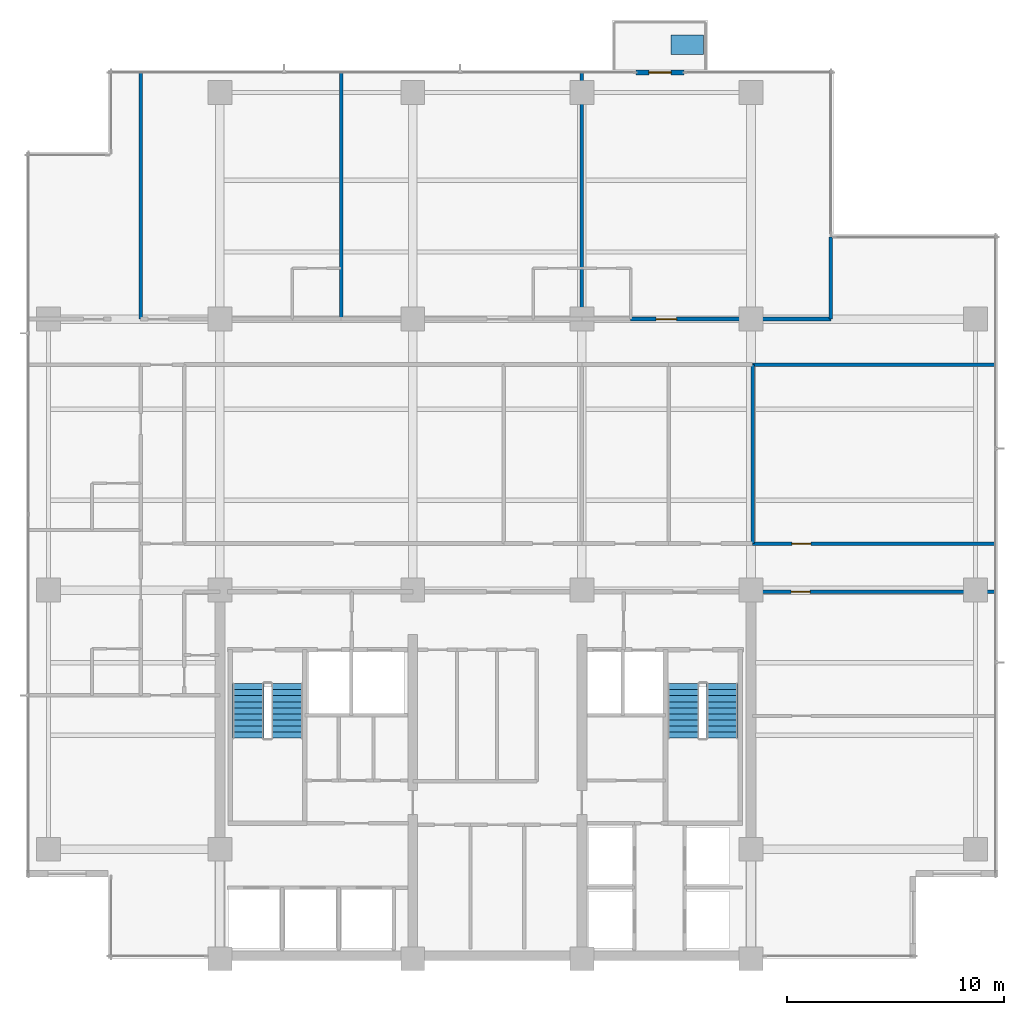
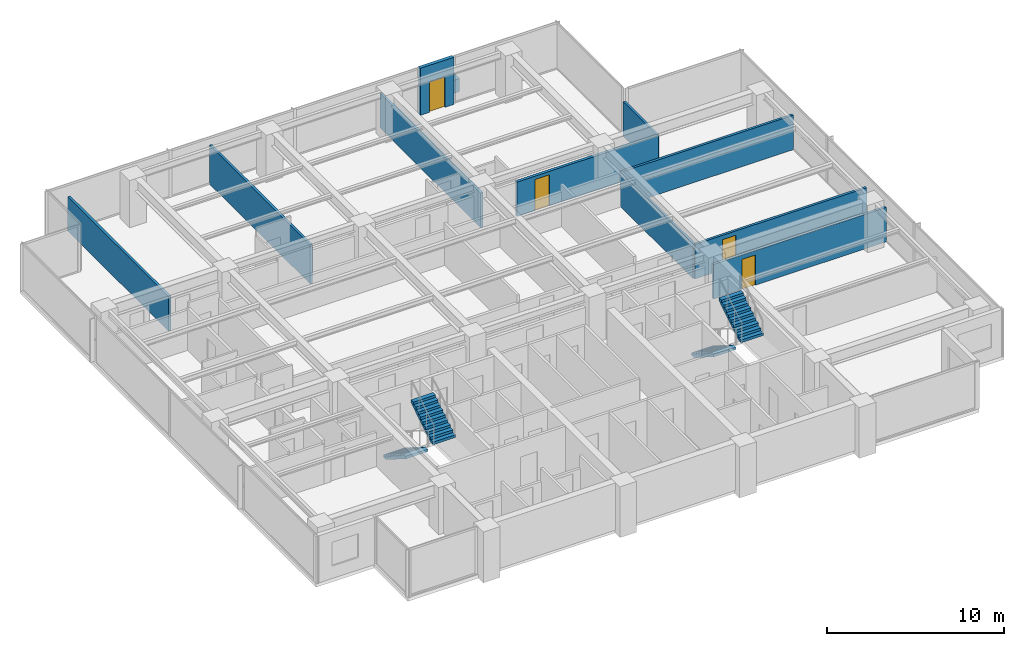
# One storey, part 10 of 15: 10 walls, 4 doors, 4 stair flights, 1 discrete accessory, 4 openings, 2 elements without a shape of their own.
"""IFC4 building model written with IfcOpenShell, lengths in metres."""

from ifc_helpers import new_model, si_unit, direction, frame, frame_2d, origin, place, context, subcontext, project, spatial, polyline, rectangle, outline, extrude, material, layer, layer_set, type_object, element, fill, aggregate, save


model = new_model("IFC4")

# Units and contexts
model_context = context("Model", 3, precision=1e-05, world=origin(), true_north=direction((0.0, 1.0)))
body_context = subcontext(model_context, "Body", "Model", "MODEL_VIEW")
ifc_project = project(units=[si_unit("LENGTHUNIT", "METRE"), si_unit("AREAUNIT", "SQUARE_METRE"), si_unit("VOLUMEUNIT", "CUBIC_METRE"), si_unit("PLANEANGLEUNIT", "RADIAN"), si_unit("MASSUNIT", "GRAM", prefix="KILO")], contexts=[model_context])

# Site, building, storey
site_placement = place(None, origin())
site = spatial("IfcSite", under=ifc_project, at=site_placement, CompositionType="ELEMENT")
building_placement = place(site_placement, origin())
building = spatial("IfcBuilding", under=site, at=building_placement, Name="Qalmaran Belvedere Hotel", CompositionType="ELEMENT")
storey_placement = place(building_placement, frame((0.0, 0.0, 163.10009765625)))
storey = spatial("IfcBuildingStorey", under=building, at=storey_placement, Name="L41", CompositionType="ELEMENT", Elevation=163.10009765625)

# Wall, opening, door
ifc_material_1 = material(Name="Anodised Bronze Cladding")
ifc_layer_1 = layer(ifc_material_1, 0.22509765625, Name="Anodised Bronze Cladding")
ifc_layer_set_1 = layer_set([ifc_layer_1], Name="Anodised Bronze Cladding")
wall_type_1 = type_object("IfcWallType", Name="WL-BAL-PORT-225", PredefinedType="SOLIDWALL", material=ifc_layer_set_1)
wall_1_placement = place(storey_placement, frame((39.5, 44.3798828125, 0.0), z_axis=(0.0, 0.0, 1.0), x_axis=(1.0, 0.0, 0.0)))
wall_1 = element("IfcWall", 1, at=wall_1_placement, inside=storey, type_object=wall_type_1, Name="L41 Tree Balcony Door Portal", PredefinedType="SOLIDWALL", context=body_context, shape_type="SweptSolid", body=[
    extrude(rectangle(XDim=2.199951171875, YDim=0.22509765625, at=frame_2d((1.10009765625, 0.0))), origin(), (0.0, 0.0, 1.0), 3.25),
])
opening_1_placement = place(wall_1_placement, frame((0.590087890625, 0.0, 0.0)))
opening_1 = element("IfcOpeningElement", 2, at=opening_1_placement, cuts=wall_1, Name="Opening BL-102", PredefinedType="OPENING", context=body_context, shape_type="SweptSolid", body=[
    extrude(rectangle(XDim=1.02001953125, YDim=2.10009765625, at=frame_2d((0.510009765625, 1.050048828125))), frame((0.0, 0.12255859375, 0.0), z_axis=(0.0, -1.0, 0.0), x_axis=(1.0, 0.0, 0.0)), (0.0, 0.0, 1.0), 0.2451171875),
])
ifc_material_2 = material(Name="Anodised Bronze Aluminium", Category="aluminium")
door_type_1 = type_object("IfcDoorType", Name="DR-BAL-1020X2100", OperationType="NOTDEFINED", PredefinedType="DOOR", material=ifc_material_2)
door_1_placement = place(opening_1_placement, origin())
door_1 = element("IfcDoor", 3, at=door_1_placement, inside=storey, type_object=door_type_1, Name="L41 Planted Tree Balcony Door", OperationType="SINGLE_SWING_RIGHT", OverallHeight=2.10009765625, OverallWidth=1.02001953125, PredefinedType="DOOR", context=body_context, shape_type="SweptSolid", body=[
    extrude(rectangle(XDim=1.02001953125, YDim=2.10009765625, at=frame_2d((0.510009765625, 1.050048828125))), frame((0.0, 0.02490234375, 0.0), z_axis=(0.0, -1.0, 0.0), x_axis=(1.0, 0.0, 0.0)), (0.0, 0.0, 1.0), 0.050048828125),
])
fill(opening_1, door_1)

ifc_material_3 = material(Name="Gypsum Stud Partition")
ifc_layer_2 = layer(ifc_material_3, 0.159912109375, Name="Gypsum Stud Partition")
ifc_layer_set_2 = layer_set([ifc_layer_2], Name="Gypsum Stud Partition")
wall_type_2 = type_object("IfcWallType", Name="WL-INT-160-EI60", PredefinedType="PARTITIONING", material=ifc_layer_set_2)
wall_2_placement = place(storey_placement, frame((44.800048828125, 20.419921875, 0.0), z_axis=(0.0, 0.0, 1.0), x_axis=(1.0, 0.0, 0.0)))
wall_2 = element("IfcWall", 4, at=wall_2_placement, inside=storey, type_object=wall_type_2, Name="L41 Partition WL-L41-ECE1S", PredefinedType="PARTITIONING", context=body_context, shape_type="SweptSolid", body=[
    extrude(rectangle(XDim=11.280029296875, YDim=0.159912109375, at=frame_2d((5.64013671875, 0.0))), origin(), (0.0, 0.0, 1.0), 2.3798828125),
])
opening_2_placement = place(wall_2_placement, frame((2.72998046875, 0.0, 0.0), z_axis=(0.0, 0.0, 1.0), x_axis=(-1.0, 0.0, 0.0)))
opening_2 = element("IfcOpeningElement", 5, at=opening_2_placement, cuts=wall_2, Name="Opening FD60B", PredefinedType="OPENING", context=body_context, shape_type="SweptSolid", body=[
    extrude(rectangle(XDim=0.8798828125, YDim=2.080078125, at=frame_2d((0.43994140625, 1.0400390625))), frame((0.0, 0.08984375, 0.0), z_axis=(0.0, -1.0, 0.0), x_axis=(1.0, 0.0, 0.0)), (0.0, 0.0, 1.0), 0.179931640625),
])
ifc_material_4 = material(Name="Steel S355JR", Category="steel")
door_type_2 = type_object("IfcDoorType", Name="DR-FD60B-880X2080", OperationType="NOTDEFINED", PredefinedType="DOOR", material=ifc_material_4)
door_2_placement = place(opening_2_placement, origin())
door_2 = element("IfcDoor", 6, at=door_2_placement, inside=storey, type_object=door_type_2, Name="L41 East Library Door", OperationType="SINGLE_SWING_LEFT", OverallHeight=2.080078125, OverallWidth=0.8798828125, PredefinedType="DOOR", context=body_context, shape_type="SweptSolid", body=[
    extrude(rectangle(XDim=0.8798828125, YDim=2.080078125, at=frame_2d((0.43994140625, 1.0400390625))), frame((0.0, 0.02490234375, 0.0), z_axis=(0.0, -1.0, 0.0), x_axis=(1.0, 0.0, 0.0)), (0.0, 0.0, 1.0), 0.050048828125),
])
fill(opening_2, door_2)

wall_3_placement = place(storey_placement, frame((44.8798828125, 22.64990234375, 0.0), z_axis=(0.0, 0.0, 1.0), x_axis=(1.0, 0.0, 0.0)))
wall_3 = element("IfcWall", 7, at=wall_3_placement, inside=storey, type_object=wall_type_2, Name="L41 Partition WL-L41-ECE2N", PredefinedType="PARTITIONING", context=body_context, shape_type="SweptSolid", body=[
    extrude(rectangle(XDim=11.2001953125, YDim=0.159912109375, at=frame_2d((5.60009765625, 0.0))), origin(), (0.0, 0.0, 1.0), 2.3798828125),
])
opening_3_placement = place(wall_3_placement, frame((1.800048828125, 0.0, 0.0)))
opening_3 = element("IfcOpeningElement", 8, at=opening_3_placement, cuts=wall_3, Name="Opening FD60B", PredefinedType="OPENING", context=body_context, shape_type="SweptSolid", body=[
    extrude(rectangle(XDim=0.8798828125, YDim=2.080078125, at=frame_2d((0.43994140625, 1.0400390625))), frame((0.0, 0.08984375, 0.0), z_axis=(0.0, -1.0, 0.0), x_axis=(1.0, 0.0, 0.0)), (0.0, 0.0, 1.0), 0.179931640625),
])
door_3_placement = place(opening_3_placement, origin())
door_3 = element("IfcDoor", 9, at=door_3_placement, inside=storey, type_object=door_type_2, Name="L41 East Fitness Door", OperationType="SINGLE_SWING_RIGHT", OverallHeight=2.080078125, OverallWidth=0.8798828125, PredefinedType="DOOR", context=body_context, shape_type="SweptSolid", body=[
    extrude(rectangle(XDim=0.8798828125, YDim=2.080078125, at=frame_2d((0.43994140625, 1.0400390625))), frame((0.0, 0.02490234375, 0.0), z_axis=(0.0, -1.0, 0.0), x_axis=(1.0, 0.0, 0.0)), (0.0, 0.0, 1.0), 0.050048828125),
])
fill(opening_3, door_3)

# Walls
wall_4_placement = place(storey_placement, frame((44.8798828125, 30.89990234375, 0.0), z_axis=(0.0, 0.0, 1.0), x_axis=(1.0, 0.0, 0.0)))
element("IfcWall", 10, at=wall_4_placement, inside=storey, type_object=wall_type_2, Name="L41 Partition WL-L41-ECEN", PredefinedType="PARTITIONING", context=body_context, shape_type="SweptSolid", body=[
    extrude(rectangle(XDim=11.2001953125, YDim=0.159912109375, at=frame_2d((5.60009765625, 0.0))), origin(), (0.0, 0.0, 1.0), 2.3798828125),
])
wall_5_placement = place(storey_placement, frame((44.8798828125, 22.64990234375, 0.0), z_axis=(0.0, 0.0, 1.0), x_axis=(0.0, 1.0, 0.0)))
element("IfcWall", 11, at=wall_5_placement, inside=storey, type_object=wall_type_2, Name="L41 Partition WL-L41-MIDVR4", PredefinedType="PARTITIONING", context=body_context, shape_type="SweptSolid", body=[
    extrude(rectangle(XDim=8.25, YDim=0.159912109375, at=frame_2d((4.125, 0.0))), origin(), (0.0, 0.0, 1.0), 2.3798828125),
])
wall_6_placement = place(storey_placement, frame((16.64990234375, 33.0, 0.0), z_axis=(0.0, 0.0, 1.0), x_axis=(0.0, 1.0, 0.0)))
element("IfcWall", 12, at=wall_6_placement, inside=storey, type_object=wall_type_2, Name="L41 Partition WL-L41-NUL", PredefinedType="PARTITIONING", context=body_context, shape_type="SweptSolid", body=[
    extrude(rectangle(XDim=11.3798828125, YDim=0.159912109375, at=frame_2d((5.68994140625, 0.0))), origin(), (0.0, 0.0, 1.0), 2.3798828125),
])
wall_7_placement = place(storey_placement, frame((25.897216796875, 33.0, 0.0), z_axis=(0.0, 0.0, 1.0), x_axis=(0.0, 1.0, 0.0)))
element("IfcWall", 13, at=wall_7_placement, inside=storey, type_object=wall_type_2, Name="L41 Partition WL-L41-NUR00", PredefinedType="PARTITIONING", context=body_context, shape_type="SweptSolid", body=[
    extrude(rectangle(XDim=11.3798828125, YDim=0.159912109375, at=frame_2d((5.68994140625, 0.0))), origin(), (0.0, 0.0, 1.0), 2.69189453125),
])
wall_8_placement = place(storey_placement, frame((37.0, 33.0, 0.0), z_axis=(0.0, 0.0, 1.0), x_axis=(0.0, 1.0, 0.0)))
element("IfcWall", 14, at=wall_8_placement, inside=storey, type_object=wall_type_2, Name="L41 Partition WL-L41-NUR01", PredefinedType="PARTITIONING", context=body_context, shape_type="SweptSolid", body=[
    extrude(rectangle(XDim=11.3798828125, YDim=0.159912109375, at=frame_2d((5.68994140625, 0.0))), origin(), (0.0, 0.0, 1.0), 2.3798828125),
])
wall_9_placement = place(storey_placement, frame((48.47998046875, 33.0, 0.0), z_axis=(0.0, 0.0, 1.0), x_axis=(0.0, 1.0, 0.0)))
element("IfcWall", 15, at=wall_9_placement, inside=storey, type_object=wall_type_2, Name="L41 Partition WL-L41-NUR02", PredefinedType="PARTITIONING", context=body_context, shape_type="SweptSolid", body=[
    extrude(rectangle(XDim=3.780029296875, YDim=0.159912109375, at=frame_2d((1.89013671875, 0.0))), origin(), (0.0, 0.0, 1.0), 2.3798828125),
])

# Wall, opening, door
ifc_layer_3 = layer(ifc_material_3, 0.179931640625, Name="Gypsum Stud Partition")
ifc_layer_set_3 = layer_set([ifc_layer_3], Name="Gypsum Stud Partition")
wall_type_3 = type_object("IfcWallType", Name="WL-INT-180-EI60", PredefinedType="PARTITIONING", material=ifc_layer_set_3)
wall_10_placement = place(storey_placement, frame((39.25, 33.0, 0.0), z_axis=(0.0, 0.0, 1.0), x_axis=(1.0, 0.0, 0.0)))
wall_10 = element("IfcWall", 16, at=wall_10_placement, inside=storey, type_object=wall_type_3, Name="L41 Partition WL-L41-NEC02", PredefinedType="PARTITIONING", context=body_context, shape_type="SweptSolid", body=[
    extrude(rectangle(XDim=9.22998046875, YDim=0.179931640625, at=frame_2d((4.614990234375, 0.0))), origin(), (0.0, 0.0, 1.0), 2.3798828125),
])
opening_4_placement = place(wall_10_placement, frame((1.17041015625, 0.0, 0.0)))
opening_4 = element("IfcOpeningElement", 17, at=opening_4_placement, cuts=wall_10, Name="Opening FD60", PredefinedType="OPENING", context=body_context, shape_type="SweptSolid", body=[
    extrude(rectangle(XDim=0.949951171875, YDim=2.14990234375, at=frame_2d((0.47509765625, 1.074951171875))), frame((0.0, 0.10009765625, 0.0), z_axis=(0.0, -1.0, 0.0), x_axis=(1.0, 0.0, 0.0)), (0.0, 0.0, 1.0), 0.199951171875),
])
ifc_material_5 = material(Name="Engineered Oak Veneer")
door_type_3 = type_object("IfcDoorType", Name="DR-FD60-950X2150", OperationType="NOTDEFINED", PredefinedType="DOOR", material=ifc_material_5)
door_4_placement = place(opening_4_placement, origin())
door_4 = element("IfcDoor", 18, at=door_4_placement, inside=storey, type_object=door_type_3, Name="L41 Guest Entrance Door N03", OperationType="SINGLE_SWING_RIGHT", OverallHeight=2.14990234375, OverallWidth=0.949951171875, PredefinedType="DOOR", context=body_context, shape_type="SweptSolid", body=[
    extrude(rectangle(XDim=0.949951171875, YDim=2.14990234375, at=frame_2d((0.47509765625, 1.074951171875))), frame((0.0, 0.02490234375, 0.0), z_axis=(0.0, -1.0, 0.0), x_axis=(1.0, 0.0, 0.0)), (0.0, 0.0, 1.0), 0.050048828125),
])
fill(opening_4, door_4)

# Stair, stair flights
ifc_material_6 = material(Name="Concrete C40/50", Category="concrete")
stair_type_1 = type_object("IfcStairType", Name="STR-ST-1-1450-R1750", PredefinedType="HALF_TURN_STAIR", material=ifc_material_6)
stair_1_placement = place(storey_placement, origin())
stair_1 = element("IfcStair", 19, at=stair_1_placement, inside=storey, type_object=stair_type_1, Name="L41 West Core Exit Stair ST-1", PredefinedType="HALF_TURN_STAIR")
ifc_layer_4 = layer(ifc_material_6, 0.14990234375, Name="Concrete C40/50")
ifc_layer_set_4 = layer_set([ifc_layer_4], Name="Concrete C40/50")
stair_flight_type_1 = type_object("IfcStairFlightType", Name="STF-ST-1-1450-R1750", PredefinedType="STRAIGHT", material=ifc_layer_set_4)
stair_flight_1_placement = place(storey_placement, frame((21.60498046875, 16.18994140625, 0.0), z_axis=(0.0, 0.0, 1.0), x_axis=(0.0, -1.0, 0.0)))
stair_flight_1 = element("IfcStairFlight", 20, at=stair_flight_1_placement, type_object=stair_flight_type_1, Name="ST-1 flight 1", NumberOfRisers=10, NumberOfTreads=9, PredefinedType="STRAIGHT", RiserHeight=0.175, TreadLength=0.28, context=body_context, shape_type="SweptSolid", body=[
    extrude(outline(polyline([(0.0, 0.0), (0.0, 0.175048828125), (0.280029296875, 0.175048828125), (0.280029296875, 0.35009765625), (0.56005859375, 0.35009765625), (0.56005859375, 0.52490234375), (0.840087890625, 0.52490234375), (0.840087890625, 0.699951171875), (1.1201171875, 0.699951171875), (1.1201171875, 0.875), (1.39990234375, 0.875), (1.39990234375, 1.050048828125), (1.679931640625, 1.050048828125), (1.679931640625, 1.22509765625), (1.9599609375, 1.22509765625), (1.9599609375, 1.39990234375), (2.239990234375, 1.39990234375), (2.239990234375, 1.574951171875), (2.52001953125, 1.574951171875), (2.52001953125, 1.75), (2.52001953125, 1.398193359375), (0.28271484375, 0.0), (0.0, 0.0)])), frame((0.0, 0.72509765625, 0.0), z_axis=(0.0, -1.0, 0.0), x_axis=(1.0, 0.0, 0.0)), (0.0, 0.0, 1.0), 1.449951171875),
])
stair_flight_2_placement = place(storey_placement, frame((23.39501953125, 13.669921875, 1.75), z_axis=(0.0, 0.0, 1.0), x_axis=(0.0, 1.0, 0.0)))
stair_flight_2 = element("IfcStairFlight", 21, at=stair_flight_2_placement, type_object=stair_flight_type_1, Name="ST-1 flight 2", NumberOfRisers=10, NumberOfTreads=9, PredefinedType="STRAIGHT", RiserHeight=0.175, TreadLength=0.28, context=body_context, shape_type="SweptSolid", body=[
    extrude(outline(polyline([(0.0, 0.0), (0.0, 0.175048828125), (0.280029296875, 0.175048828125), (0.280029296875, 0.35009765625), (0.56005859375, 0.35009765625), (0.56005859375, 0.52490234375), (0.840087890625, 0.52490234375), (0.840087890625, 0.699951171875), (1.1201171875, 0.699951171875), (1.1201171875, 0.875), (1.39990234375, 0.875), (1.39990234375, 1.050048828125), (1.679931640625, 1.050048828125), (1.679931640625, 1.22509765625), (1.9599609375, 1.22509765625), (1.9599609375, 1.39990234375), (2.239990234375, 1.39990234375), (2.239990234375, 1.574951171875), (2.52001953125, 1.574951171875), (2.52001953125, 1.75), (2.52001953125, 1.398193359375), (0.28271484375, 0.0), (0.0, 0.0)])), frame((0.0, 0.72509765625, 0.0), z_axis=(0.0, -1.0, 0.0), x_axis=(1.0, 0.0, 0.0)), (0.0, 0.0, 1.0), 1.449951171875),
])
aggregate(stair_1, [stair_flight_1, stair_flight_2])

stair_type_2 = type_object("IfcStairType", Name="STR-ST-2-1450-R1750", PredefinedType="HALF_TURN_STAIR", material=ifc_material_6)
stair_2_placement = place(storey_placement, origin())
stair_2 = element("IfcStair", 22, at=stair_2_placement, inside=storey, type_object=stair_type_2, Name="L41 East Core Exit Stair ST-2", PredefinedType="HALF_TURN_STAIR")
ifc_layer_5 = layer(ifc_material_6, 0.14990234375, Name="Concrete C40/50")
ifc_layer_set_5 = layer_set([ifc_layer_5], Name="Concrete C40/50")
stair_flight_type_2 = type_object("IfcStairFlightType", Name="STF-ST-2-1450-R1750", PredefinedType="STRAIGHT", material=ifc_layer_set_5)
stair_flight_3_placement = place(storey_placement, frame((41.68505859375, 16.18994140625, 0.0), z_axis=(0.0, 0.0, 1.0), x_axis=(0.0, -1.0, 0.0)))
stair_flight_3 = element("IfcStairFlight", 23, at=stair_flight_3_placement, type_object=stair_flight_type_2, Name="ST-2 flight 1", NumberOfRisers=10, NumberOfTreads=9, PredefinedType="STRAIGHT", RiserHeight=0.175, TreadLength=0.28, context=body_context, shape_type="SweptSolid", body=[
    extrude(outline(polyline([(0.0, 0.0), (0.0, 0.175048828125), (0.280029296875, 0.175048828125), (0.280029296875, 0.35009765625), (0.56005859375, 0.35009765625), (0.56005859375, 0.52490234375), (0.840087890625, 0.52490234375), (0.840087890625, 0.699951171875), (1.1201171875, 0.699951171875), (1.1201171875, 0.875), (1.39990234375, 0.875), (1.39990234375, 1.050048828125), (1.679931640625, 1.050048828125), (1.679931640625, 1.22509765625), (1.9599609375, 1.22509765625), (1.9599609375, 1.39990234375), (2.239990234375, 1.39990234375), (2.239990234375, 1.574951171875), (2.52001953125, 1.574951171875), (2.52001953125, 1.75), (2.52001953125, 1.398193359375), (0.28271484375, 0.0), (0.0, 0.0)])), frame((0.0, 0.72509765625, 0.0), z_axis=(0.0, -1.0, 0.0), x_axis=(1.0, 0.0, 0.0)), (0.0, 0.0, 1.0), 1.449951171875),
])
stair_flight_4_placement = place(storey_placement, frame((43.47509765625, 13.669921875, 1.75), z_axis=(0.0, 0.0, 1.0), x_axis=(0.0, 1.0, 0.0)))
stair_flight_4 = element("IfcStairFlight", 24, at=stair_flight_4_placement, type_object=stair_flight_type_2, Name="ST-2 flight 2", NumberOfRisers=10, NumberOfTreads=9, PredefinedType="STRAIGHT", RiserHeight=0.175, TreadLength=0.28, context=body_context, shape_type="SweptSolid", body=[
    extrude(outline(polyline([(0.0, 0.0), (0.0, 0.175048828125), (0.280029296875, 0.175048828125), (0.280029296875, 0.35009765625), (0.56005859375, 0.35009765625), (0.56005859375, 0.52490234375), (0.840087890625, 0.52490234375), (0.840087890625, 0.699951171875), (1.1201171875, 0.699951171875), (1.1201171875, 0.875), (1.39990234375, 0.875), (1.39990234375, 1.050048828125), (1.679931640625, 1.050048828125), (1.679931640625, 1.22509765625), (1.9599609375, 1.22509765625), (1.9599609375, 1.39990234375), (2.239990234375, 1.39990234375), (2.239990234375, 1.574951171875), (2.52001953125, 1.574951171875), (2.52001953125, 1.75), (2.52001953125, 1.398193359375), (0.28271484375, 0.0), (0.0, 0.0)])), frame((0.0, 0.72509765625, 0.0), z_axis=(0.0, -1.0, 0.0), x_axis=(1.0, 0.0, 0.0)), (0.0, 0.0, 1.0), 1.449951171875),
])
aggregate(stair_2, [stair_flight_3, stair_flight_4])

# Discrete accessory
discrete_accessory_type = type_object("IfcDiscreteAccessoryType", Name="PLN-BAL-1500", PredefinedType="USERDEFINED", material=ifc_material_6)
discrete_accessory_placement = place(storey_placement, origin())
element("IfcDiscreteAccessory", 25, at=discrete_accessory_placement, inside=storey, type_object=discrete_accessory_type, Name="L41 Sky Tree Planter", ObjectType="PLANTER", PredefinedType="USERDEFINED", context=body_context, shape_type="SweptSolid", body=[
    extrude(outline(polyline([(41.10009765625, 45.199951171875), (42.60009765625, 45.199951171875), (42.60009765625, 46.10009765625), (41.10009765625, 46.10009765625), (41.10009765625, 45.199951171875)])), origin(), (0.0, 0.0, 1.0), 0.89990234375),
])

save(model, "model.ifc")
